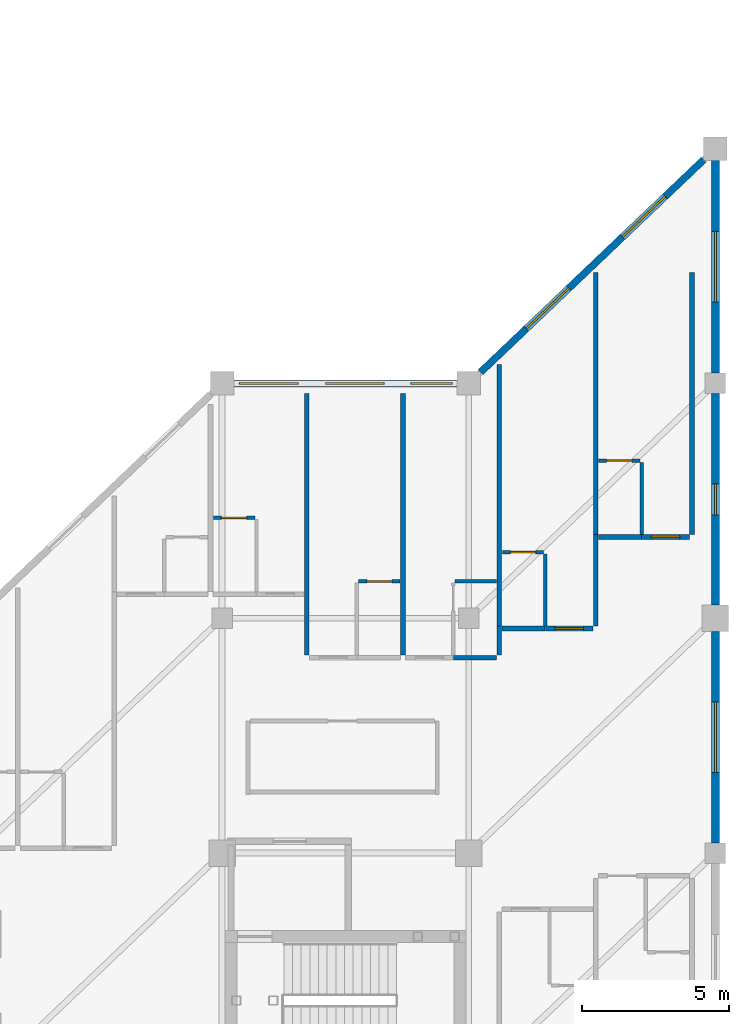
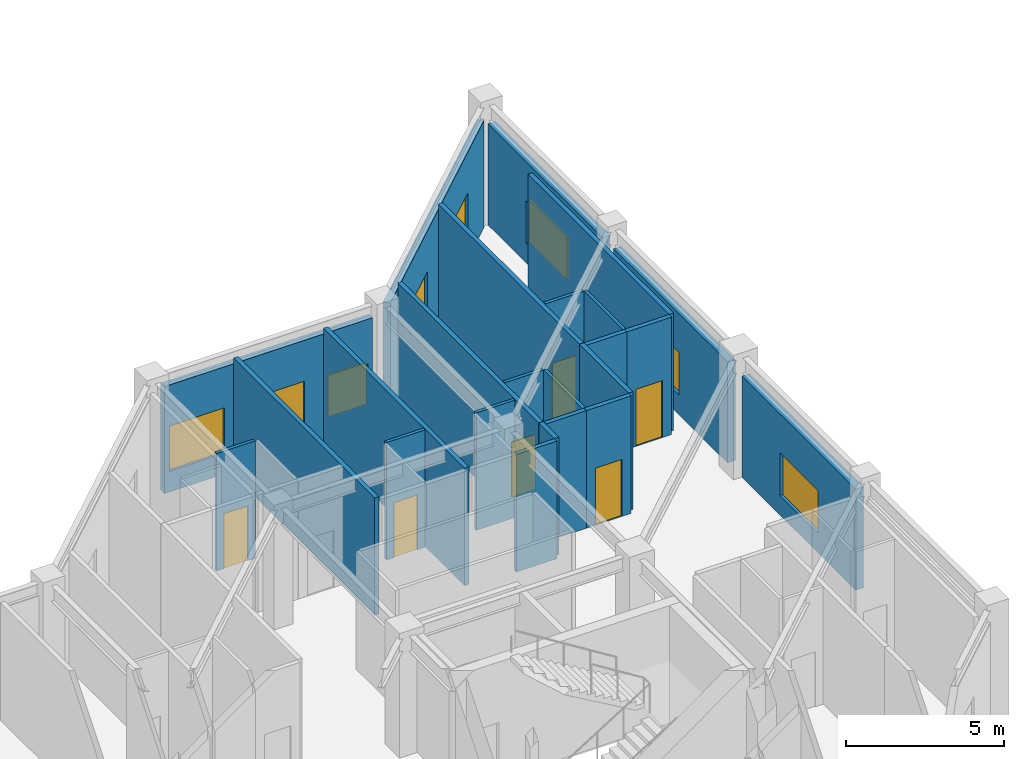
# One storey, part 32 of 37: 24 walls, 8 windows, 6 doors, 14 openings.
"""IFC4 building model written with IfcOpenShell, lengths in metres."""

from ifc_helpers import new_model, si_unit, direction, frame, frame_2d, origin, place, context, subcontext, project, spatial, rectangle, extrude, material, layer, layer_set, type_object, element, fill, save


model = new_model("IFC4")

# Units and contexts
model_context = context("Model", 3, precision=1e-05, world=origin(), true_north=direction((0.0, 1.0)))
body_context = subcontext(model_context, "Body", "Model", "MODEL_VIEW")
ifc_project = project(units=[si_unit("LENGTHUNIT", "METRE"), si_unit("AREAUNIT", "SQUARE_METRE"), si_unit("VOLUMEUNIT", "CUBIC_METRE"), si_unit("PLANEANGLEUNIT", "RADIAN"), si_unit("MASSUNIT", "GRAM", prefix="KILO")], contexts=[model_context])

# Site, building, storey
site_placement = place(None, origin())
site = spatial("IfcSite", under=ifc_project, at=site_placement, CompositionType="ELEMENT")
building_placement = place(site_placement, origin())
building = spatial("IfcBuilding", under=site, at=building_placement, Name="Naruveol Harbour Congress Hotel", CompositionType="ELEMENT")
storey_placement = place(building_placement, frame((0.0, 0.0, 16.199951171875)))
storey = spatial("IfcBuildingStorey", under=building, at=storey_placement, Name="L03", CompositionType="ELEMENT", Elevation=16.199951171875)

# Wall, opening, window
ifc_material_1 = material(Name="Precast concrete C40/50", Category="concrete")
ifc_layer_1 = layer(ifc_material_1, 0.280029296875)
ifc_layer_set_1 = layer_set([ifc_layer_1], Name="Precast concrete C40/50")
wall_type_1 = type_object("IfcWallType", Name="ARCHITECTURAL PRECAST FACADE WALL 280", PredefinedType="SOLIDWALL", material=ifc_layer_set_1)
wall_1_placement = place(storey_placement, frame((184.800048828125, 55.60009765625, 0.0), z_axis=(0.0, 0.0, 1.0), x_axis=(0.0, -1.0, 0.0)))
wall_1 = element("IfcWall", 1, at=wall_1_placement, inside=storey, type_object=wall_type_1, Name="Hotel east gable wall L03 EW-280", PredefinedType="SOLIDWALL", context=body_context, shape_type="SweptSolid", body=[
    extrude(rectangle(XDim=7.25, YDim=0.280029296875, at=frame_2d((3.625, 0.0))), origin(), (0.0, 0.0, 1.0), 3.900146484375),
])
opening_1_placement = place(wall_1_placement, frame((2.425048828125, 0.0, 0.75)))
opening_1 = element("IfcOpeningElement", 2, at=opening_1_placement, cuts=wall_1, Name="Opening W-07", PredefinedType="OPENING", context=body_context, shape_type="SweptSolid", body=[
    extrude(rectangle(XDim=2.39990234375, YDim=1.64990234375, at=frame_2d((1.199951171875, 0.824951171875))), frame((0.0, 0.14990234375, 0.0), z_axis=(0.0, -1.0, 0.0), x_axis=(1.0, 0.0, 0.0)), (0.0, 0.0, 1.0), 0.300048828125),
])
ifc_material_2 = material(Name="Low-E Triple Glazing in Thermal Aluminium", Category="aluminium")
window_type_1 = type_object("IfcWindowType", Name="CORNER SUITE WINDOW 2400X1650", PartitioningType="DOUBLE_PANEL_VERTICAL", PredefinedType="WINDOW", material=ifc_material_2)
window_1_placement = place(opening_1_placement, origin())
window_1 = element("IfcWindow", 3, at=window_1_placement, inside=storey, type_object=window_type_1, Name="Window W-07 #265", OverallHeight=1.64990234375, OverallWidth=2.39990234375, PartitioningType="DOUBLE_PANEL_VERTICAL", PredefinedType="WINDOW", context=body_context, shape_type="SweptSolid", body=[
    extrude(rectangle(XDim=2.39990234375, YDim=1.64990234375, at=frame_2d((1.199951171875, 0.824951171875))), frame((0.0, 0.030029296875, 0.0), z_axis=(0.0, -1.0, 0.0), x_axis=(1.0, 0.0, 0.0)), (0.0, 0.0, 1.0), 0.06005859375),
])
fill(opening_1, window_1)

wall_2_placement = place(storey_placement, frame((184.800048828125, 47.64990234375, 0.0), z_axis=(0.0, 0.0, 1.0), x_axis=(0.0, -1.0, 0.0)))
wall_2 = element("IfcWall", 4, at=wall_2_placement, inside=storey, type_object=wall_type_1, Name="Hotel east gable wall L03 EW-280", PredefinedType="SOLIDWALL", context=body_context, shape_type="SweptSolid", body=[
    extrude(rectangle(XDim=7.199951171875, YDim=0.280029296875, at=frame_2d((3.60009765625, 0.0))), origin(), (0.0, 0.0, 1.0), 3.900146484375),
])
opening_2_placement = place(wall_2_placement, frame((3.074951171875, 0.0, 0.75)))
opening_2 = element("IfcOpeningElement", 5, at=opening_2_placement, cuts=wall_2, Name="Opening W-26", PredefinedType="OPENING", context=body_context, shape_type="SweptSolid", body=[
    extrude(rectangle(XDim=1.050048828125, YDim=1.64990234375, at=frame_2d((0.52490234375, 0.824951171875))), frame((0.0, 0.14990234375, 0.0), z_axis=(0.0, -1.0, 0.0), x_axis=(1.0, 0.0, 0.0)), (0.0, 0.0, 1.0), 0.300048828125),
])
ifc_material_3 = material(Name="Low-E Triple Glazing in Thermal Aluminium", Category="aluminium")
window_type_2 = type_object("IfcWindowType", Name="CORRIDOR END VIEW WINDOW 1050X1650", PartitioningType="SINGLE_PANEL", PredefinedType="WINDOW", material=ifc_material_3)
window_2_placement = place(opening_2_placement, origin())
window_2 = element("IfcWindow", 6, at=window_2_placement, inside=storey, type_object=window_type_2, Name="Window W-26 #266", OverallHeight=1.64990234375, OverallWidth=1.050048828125, PartitioningType="SINGLE_PANEL", PredefinedType="WINDOW", context=body_context, shape_type="SweptSolid", body=[
    extrude(rectangle(XDim=1.050048828125, YDim=1.64990234375, at=frame_2d((0.52490234375, 0.824951171875))), frame((0.0, 0.030029296875, 0.0), z_axis=(0.0, -1.0, 0.0), x_axis=(1.0, 0.0, 0.0)), (0.0, 0.0, 1.0), 0.06005859375),
])
fill(opening_2, window_2)

wall_3_placement = place(storey_placement, frame((184.800048828125, 39.550048828125, 0.0), z_axis=(0.0, 0.0, 1.0), x_axis=(0.0, -1.0, 0.0)))
wall_3 = element("IfcWall", 7, at=wall_3_placement, inside=storey, type_object=wall_type_1, Name="Hotel east gable wall L03 EW-280", PredefinedType="SOLIDWALL", context=body_context, shape_type="SweptSolid", body=[
    extrude(rectangle(XDim=7.199951171875, YDim=0.280029296875, at=frame_2d((3.60009765625, 0.0))), origin(), (0.0, 0.0, 1.0), 3.900146484375),
])
opening_3_placement = place(wall_3_placement, frame((2.39990234375, 0.0, 0.75)))
opening_3 = element("IfcOpeningElement", 8, at=opening_3_placement, cuts=wall_3, Name="Opening W-07", PredefinedType="OPENING", context=body_context, shape_type="SweptSolid", body=[
    extrude(rectangle(XDim=2.39990234375, YDim=1.64990234375, at=frame_2d((1.199951171875, 0.824951171875))), frame((0.0, 0.14990234375, 0.0), z_axis=(0.0, -1.0, 0.0), x_axis=(1.0, 0.0, 0.0)), (0.0, 0.0, 1.0), 0.300048828125),
])
window_3_placement = place(opening_3_placement, origin())
window_3 = element("IfcWindow", 9, at=window_3_placement, inside=storey, type_object=window_type_1, Name="Window W-07 #267", OverallHeight=1.64990234375, OverallWidth=2.39990234375, PartitioningType="DOUBLE_PANEL_VERTICAL", PredefinedType="WINDOW", context=body_context, shape_type="SweptSolid", body=[
    extrude(rectangle(XDim=2.39990234375, YDim=1.64990234375, at=frame_2d((1.199951171875, 0.824951171875))), frame((0.0, 0.030029296875, 0.0), z_axis=(0.0, -1.0, 0.0), x_axis=(1.0, 0.0, 0.0)), (0.0, 0.0, 1.0), 0.06005859375),
])
fill(opening_3, window_3)

# Wall, opening, door
ifc_material_4 = material(Name="Moisture-Resistant Gypsum Partition", Category="gypsum")
ifc_layer_2 = layer(ifc_material_4, 0.114990234375)
ifc_layer_set_2 = layer_set([ifc_layer_2], Name="Moisture-Resistant Gypsum Partition")
wall_type_2 = type_object("IfcWallType", Name="BATHROOM MOISTURE PARTITION WALL 115", PredefinedType="PARTITIONING", material=ifc_layer_set_2)
wall_4_placement = place(storey_placement, frame((167.699951171875, 43.419921875, 0.0), z_axis=(0.0, 0.0, 1.0), x_axis=(1.0, 0.0, 0.0)))
wall_4 = element("IfcWall", 10, at=wall_4_placement, inside=storey, type_object=wall_type_2, Name="Bathroom north wall 0472 PW-115", PredefinedType="PARTITIONING", context=body_context, shape_type="SweptSolid", body=[
    extrude(rectangle(XDim=1.41015625, YDim=0.114990234375, at=frame_2d((0.705078125, 0.0))), origin(), (0.0, 0.0, 1.0), 4.53515625),
])
opening_4_placement = place(wall_4_placement, frame((0.27490234375, 0.0, 0.0)))
opening_4 = element("IfcOpeningElement", 11, at=opening_4_placement, cuts=wall_4, Name="Opening BD-RM0472", PredefinedType="OPENING", context=body_context, shape_type="SweptSolid", body=[
    extrude(rectangle(XDim=0.860107421875, YDim=2.1201171875, at=frame_2d((0.43017578125, 1.06005859375))), frame((0.0, 0.0673828125, 0.0), z_axis=(0.0, -1.0, 0.0), x_axis=(1.0, 0.0, 0.0)), (0.0, 0.0, 1.0), 0.135009765625),
])
ifc_material_5 = material(Name="Timber & Steel Acoustic Leaf", Category="steel")
door_type_1 = type_object("IfcDoorType", Name="GUEST BATHROOM DOOR 860X2120", OperationType="NOTDEFINED", PredefinedType="DOOR", material=ifc_material_5)
door_1_placement = place(opening_4_placement, origin())
door_1 = element("IfcDoor", 12, at=door_1_placement, inside=storey, type_object=door_type_1, Name="Bathroom Door 0472", OperationType="SINGLE_SWING_RIGHT", OverallHeight=2.1201171875, OverallWidth=0.860107421875, PredefinedType="DOOR", context=body_context, shape_type="SweptSolid", body=[
    extrude(rectangle(XDim=0.860107421875, YDim=2.1201171875, at=frame_2d((0.43017578125, 1.06005859375))), frame((0.0, 0.02490234375, 0.0), z_axis=(0.0, -1.0, 0.0), x_axis=(1.0, 0.0, 0.0)), (0.0, 0.0, 1.0), 0.050048828125),
])
fill(opening_4, door_1)

wall_5_placement = place(storey_placement, frame((172.64990234375, 41.260009765625, 0.0), z_axis=(0.0, 0.0, 1.0), x_axis=(1.0, 0.0, 0.0)))
wall_5 = element("IfcWall", 13, at=wall_5_placement, inside=storey, type_object=wall_type_2, Name="Bathroom north wall 0473 PW-115", PredefinedType="PARTITIONING", context=body_context, shape_type="SweptSolid", body=[
    extrude(rectangle(XDim=1.41015625, YDim=0.114990234375, at=frame_2d((0.705078125, 0.0))), origin(), (0.0, 0.0, 1.0), 4.53515625),
])
opening_5_placement = place(wall_5_placement, frame((0.27490234375, 0.0, 0.0)))
opening_5 = element("IfcOpeningElement", 14, at=opening_5_placement, cuts=wall_5, Name="Opening BD-RM0473", PredefinedType="OPENING", context=body_context, shape_type="SweptSolid", body=[
    extrude(rectangle(XDim=0.860107421875, YDim=2.1201171875, at=frame_2d((0.43017578125, 1.06005859375))), frame((0.0, 0.0673828125, 0.0), z_axis=(0.0, -1.0, 0.0), x_axis=(1.0, 0.0, 0.0)), (0.0, 0.0, 1.0), 0.135009765625),
])
door_2_placement = place(opening_5_placement, origin())
door_2 = element("IfcDoor", 15, at=door_2_placement, inside=storey, type_object=door_type_1, Name="Bathroom Door 0473", OperationType="SINGLE_SWING_RIGHT", OverallHeight=2.1201171875, OverallWidth=0.860107421875, PredefinedType="DOOR", context=body_context, shape_type="SweptSolid", body=[
    extrude(rectangle(XDim=0.860107421875, YDim=2.1201171875, at=frame_2d((0.43017578125, 1.06005859375))), frame((0.0, 0.02490234375, 0.0), z_axis=(0.0, -1.0, 0.0), x_axis=(1.0, 0.0, 0.0)), (0.0, 0.0, 1.0), 0.050048828125),
])
fill(opening_5, door_2)

# Walls
wall_6_placement = place(storey_placement, frame((175.929931640625, 41.260009765625, 0.0), z_axis=(0.0, 0.0, 1.0), x_axis=(1.0, 0.0, 0.0)))
element("IfcWall", 16, at=wall_6_placement, inside=storey, type_object=wall_type_2, Name="Bathroom north wall 0474 PW-115", PredefinedType="PARTITIONING", context=body_context, shape_type="SweptSolid", body=[
    extrude(rectangle(XDim=1.41015625, YDim=0.114990234375, at=frame_2d((0.705078125, 0.0))), origin(), (0.0, 0.0, 1.0), 4.53515625),
])
wall_7_placement = place(storey_placement, frame((179.010009765625, 39.739990234375, 0.0), z_axis=(0.0, 0.0, 1.0), x_axis=(0.0, 1.0, 0.0)))
element("IfcWall", 17, at=wall_7_placement, inside=storey, type_object=wall_type_2, Name="Bathroom east wall 0475 PW-115", PredefinedType="PARTITIONING", context=body_context, shape_type="SweptSolid", body=[
    extrude(rectangle(XDim=2.449951171875, YDim=0.114990234375, at=frame_2d((1.22509765625, 0.0))), origin(), (0.0, 0.0, 1.0), 4.53515625),
])

# Wall, opening, door
wall_8_placement = place(storey_placement, frame((177.5400390625, 42.25, 0.0), z_axis=(0.0, 0.0, 1.0), x_axis=(1.0, 0.0, 0.0)))
wall_8 = element("IfcWall", 18, at=wall_8_placement, inside=storey, type_object=wall_type_2, Name="Bathroom north wall 0475 PW-115", PredefinedType="PARTITIONING", context=body_context, shape_type="SweptSolid", body=[
    extrude(rectangle(XDim=1.409912109375, YDim=0.114990234375, at=frame_2d((0.705078125, 0.0))), origin(), (0.0, 0.0, 1.0), 4.53515625),
])
opening_6_placement = place(wall_8_placement, frame((0.27490234375, 0.0, 0.0)))
opening_6 = element("IfcOpeningElement", 19, at=opening_6_placement, cuts=wall_8, Name="Opening BD-RM0475", PredefinedType="OPENING", context=body_context, shape_type="SweptSolid", body=[
    extrude(rectangle(XDim=0.860107421875, YDim=2.1201171875, at=frame_2d((0.43017578125, 1.06005859375))), frame((0.0, 0.0673828125, 0.0), z_axis=(0.0, -1.0, 0.0), x_axis=(1.0, 0.0, 0.0)), (0.0, 0.0, 1.0), 0.135009765625),
])
door_3_placement = place(opening_6_placement, origin())
door_3 = element("IfcDoor", 20, at=door_3_placement, inside=storey, type_object=door_type_1, Name="Bathroom Door 0475", OperationType="SINGLE_SWING_RIGHT", OverallHeight=2.1201171875, OverallWidth=0.860107421875, PredefinedType="DOOR", context=body_context, shape_type="SweptSolid", body=[
    extrude(rectangle(XDim=0.860107421875, YDim=2.1201171875, at=frame_2d((0.43017578125, 1.06005859375))), frame((0.0, 0.02490234375, 0.0), z_axis=(0.0, -1.0, 0.0), x_axis=(1.0, 0.0, 0.0)), (0.0, 0.0, 1.0), 0.050048828125),
])
fill(opening_6, door_3)

# Wall
wall_9_placement = place(storey_placement, frame((182.2900390625, 42.860107421875, 0.0), z_axis=(0.0, 0.0, 1.0), x_axis=(0.0, 1.0, 0.0)))
element("IfcWall", 21, at=wall_9_placement, inside=storey, type_object=wall_type_2, Name="Bathroom east wall 0476 PW-115", PredefinedType="PARTITIONING", context=body_context, shape_type="SweptSolid", body=[
    extrude(rectangle(XDim=2.449951171875, YDim=0.114990234375, at=frame_2d((1.22509765625, 0.0))), origin(), (0.0, 0.0, 1.0), 4.53515625),
])

# Wall, opening, door
wall_10_placement = place(storey_placement, frame((180.820068359375, 45.3701171875, 0.0), z_axis=(0.0, 0.0, 1.0), x_axis=(1.0, 0.0, 0.0)))
wall_10 = element("IfcWall", 22, at=wall_10_placement, inside=storey, type_object=wall_type_2, Name="Bathroom north wall 0476 PW-115", PredefinedType="PARTITIONING", context=body_context, shape_type="SweptSolid", body=[
    extrude(rectangle(XDim=1.409912109375, YDim=0.114990234375, at=frame_2d((0.705078125, 0.0))), origin(), (0.0, 0.0, 1.0), 4.53515625),
])
opening_7_placement = place(wall_10_placement, frame((0.27490234375, 0.0, 0.0)))
opening_7 = element("IfcOpeningElement", 23, at=opening_7_placement, cuts=wall_10, Name="Opening BD-RM0476", PredefinedType="OPENING", context=body_context, shape_type="SweptSolid", body=[
    extrude(rectangle(XDim=0.860107421875, YDim=2.1201171875, at=frame_2d((0.43017578125, 1.06005859375))), frame((0.0, 0.0673828125, 0.0), z_axis=(0.0, -1.0, 0.0), x_axis=(1.0, 0.0, 0.0)), (0.0, 0.0, 1.0), 0.135009765625),
])
door_4_placement = place(opening_7_placement, origin())
door_4 = element("IfcDoor", 24, at=door_4_placement, inside=storey, type_object=door_type_1, Name="Bathroom Door 0476", OperationType="SINGLE_SWING_RIGHT", OverallHeight=2.1201171875, OverallWidth=0.860107421875, PredefinedType="DOOR", context=body_context, shape_type="SweptSolid", body=[
    extrude(rectangle(XDim=0.860107421875, YDim=2.1201171875, at=frame_2d((0.43017578125, 1.06005859375))), frame((0.0, 0.02490234375, 0.0), z_axis=(0.0, -1.0, 0.0), x_axis=(1.0, 0.0, 0.0)), (0.0, 0.0, 1.0), 0.050048828125),
])
fill(opening_7, door_4)

# Walls
ifc_material_6 = material(Name="Autoclaved Aerated Concrete Block", Category="concrete")
ifc_layer_3 = layer(ifc_material_6, 0.159912109375)
ifc_layer_set_3 = layer_set([ifc_layer_3], Name="Autoclaved Aerated Concrete Block")
wall_type_3 = type_object("IfcWallType", Name="HOTEL PARTY AND CORRIDOR WALL 160 EI60", PredefinedType="PARTITIONING", material=ifc_layer_set_3)
wall_11_placement = place(storey_placement, frame((170.8798828125, 38.75, 0.0), z_axis=(0.0, 0.0, 1.0), x_axis=(0.0, 1.0, 0.0)))
element("IfcWall", 25, at=wall_11_placement, inside=storey, type_object=wall_type_3, Name="Hotel party wall 0473 PW-160", PredefinedType="PARTITIONING", context=body_context, shape_type="SweptSolid", body=[
    extrude(rectangle(XDim=8.909912109375, YDim=0.159912109375, at=frame_2d((4.455078125, 0.0))), origin(), (0.0, 0.0, 1.0), 4.53515625),
])
wall_12_placement = place(storey_placement, frame((175.8798828125, 38.659912109375, 0.0), z_axis=(0.0, 0.0, 1.0), x_axis=(1.0, 0.0, 0.0)))
element("IfcWall", 26, at=wall_12_placement, inside=storey, type_object=wall_type_3, Name="Corridor wall 0474B PW-160", PredefinedType="PARTITIONING", context=body_context, shape_type="SweptSolid", body=[
    extrude(rectangle(XDim=1.47021484375, YDim=0.159912109375, at=frame_2d((0.735107421875, 0.0))), origin(), (0.0, 0.0, 1.0), 4.53515625),
])
wall_13_placement = place(storey_placement, frame((174.159912109375, 38.75, 0.0), z_axis=(0.0, 0.0, 1.0), x_axis=(0.0, 1.0, 0.0)))
element("IfcWall", 27, at=wall_13_placement, inside=storey, type_object=wall_type_3, Name="Hotel party wall 0474 PW-160", PredefinedType="PARTITIONING", context=body_context, shape_type="SweptSolid", body=[
    extrude(rectangle(XDim=8.909912109375, YDim=0.159912109375, at=frame_2d((4.455078125, 0.0))), origin(), (0.0, 0.0, 1.0), 4.53515625),
])
wall_14_placement = place(storey_placement, frame((177.43994140625, 38.75, 0.0), z_axis=(0.0, 0.0, 1.0), x_axis=(0.0, 1.0, 0.0)))
element("IfcWall", 28, at=wall_14_placement, inside=storey, type_object=wall_type_3, Name="Hotel end party wall 0474 PW-160", PredefinedType="PARTITIONING", context=body_context, shape_type="SweptSolid", body=[
    extrude(rectangle(XDim=0.97998046875, YDim=0.159912109375, at=frame_2d((0.489990234375, 0.0))), origin(), (0.0, 0.0, 1.0), 4.53515625),
])
wall_15_placement = place(storey_placement, frame((177.530029296875, 39.64990234375, 0.0), z_axis=(0.0, 0.0, 1.0), x_axis=(1.0, 0.0, 0.0)))
element("IfcWall", 29, at=wall_15_placement, inside=storey, type_object=wall_type_3, Name="Corridor wall 0475B PW-160", PredefinedType="PARTITIONING", context=body_context, shape_type="SweptSolid", body=[
    extrude(rectangle(XDim=1.469970703125, YDim=0.159912109375, at=frame_2d((0.73486328125, 0.0))), origin(), (0.0, 0.0, 1.0), 4.53515625),
])

# Wall, opening, door
wall_16_placement = place(storey_placement, frame((179.010009765625, 39.64990234375, 0.0), z_axis=(0.0, 0.0, 1.0), x_axis=(1.0, 0.0, 0.0)))
wall_16 = element("IfcWall", 30, at=wall_16_placement, inside=storey, type_object=wall_type_3, Name="Corridor entry wall 0475 PW-160", PredefinedType="PARTITIONING", context=body_context, shape_type="SweptSolid", body=[
    extrude(rectangle(XDim=1.619873046875, YDim=0.159912109375, at=frame_2d((0.81005859375, 0.0))), origin(), (0.0, 0.0, 1.0), 4.53515625),
])
opening_8_placement = place(wall_16_placement, frame((0.330078125, 0.0, 0.0)))
opening_8 = element("IfcOpeningElement", 31, at=opening_8_placement, cuts=wall_16, Name="Opening FD-RM0475", PredefinedType="OPENING", context=body_context, shape_type="SweptSolid", body=[
    extrude(rectangle(XDim=0.9599609375, YDim=2.199951171875, at=frame_2d((0.47998046875, 1.10009765625))), frame((0.0, 0.08984375, 0.0), z_axis=(0.0, -1.0, 0.0), x_axis=(1.0, 0.0, 0.0)), (0.0, 0.0, 1.0), 0.179931640625),
])
ifc_material_7 = material(Name="Timber & Steel Acoustic Leaf", Category="steel")
door_type_2 = type_object("IfcDoorType", Name="GUEST ROOM ENTRANCE FIRE DOOR 960X2200", OperationType="NOTDEFINED", PredefinedType="DOOR", material=ifc_material_7)
door_5_placement = place(opening_8_placement, origin())
door_5 = element("IfcDoor", 32, at=door_5_placement, inside=storey, type_object=door_type_2, Name="Hotel Room Door 0475", OperationType="SINGLE_SWING_LEFT", OverallHeight=2.199951171875, OverallWidth=0.9599609375, PredefinedType="DOOR", context=body_context, shape_type="SweptSolid", body=[
    extrude(rectangle(XDim=0.9599609375, YDim=2.199951171875, at=frame_2d((0.47998046875, 1.10009765625))), frame((0.0, 0.02490234375, 0.0), z_axis=(0.0, -1.0, 0.0), x_axis=(1.0, 0.0, 0.0)), (0.0, 0.0, 1.0), 0.050048828125),
])
fill(opening_8, door_5)

# Walls
wall_17_placement = place(storey_placement, frame((177.43994140625, 39.739990234375, 0.0), z_axis=(0.0, 0.0, 1.0), x_axis=(0.0, 1.0, 0.0)))
element("IfcWall", 33, at=wall_17_placement, inside=storey, type_object=wall_type_3, Name="Hotel party wall 0475 PW-160", PredefinedType="PARTITIONING", context=body_context, shape_type="SweptSolid", body=[
    extrude(rectangle(XDim=8.909912109375, YDim=0.159912109375, at=frame_2d((4.455078125, 0.0))), origin(), (0.0, 0.0, 1.0), 4.53515625),
])
wall_18_placement = place(storey_placement, frame((180.719970703125, 39.739990234375, 0.0), z_axis=(0.0, 0.0, 1.0), x_axis=(0.0, 1.0, 0.0)))
element("IfcWall", 34, at=wall_18_placement, inside=storey, type_object=wall_type_3, Name="Hotel end party wall 0475 PW-160", PredefinedType="PARTITIONING", context=body_context, shape_type="SweptSolid", body=[
    extrude(rectangle(XDim=3.110107421875, YDim=0.159912109375, at=frame_2d((1.55517578125, 0.0))), origin(), (0.0, 0.0, 1.0), 4.53515625),
])
wall_19_placement = place(storey_placement, frame((180.81005859375, 42.77001953125, 0.0), z_axis=(0.0, 0.0, 1.0), x_axis=(1.0, 0.0, 0.0)))
element("IfcWall", 35, at=wall_19_placement, inside=storey, type_object=wall_type_3, Name="Corridor wall 0476B PW-160", PredefinedType="PARTITIONING", context=body_context, shape_type="SweptSolid", body=[
    extrude(rectangle(XDim=1.469970703125, YDim=0.159912109375, at=frame_2d((0.73486328125, 0.0))), origin(), (0.0, 0.0, 1.0), 4.53515625),
])

# Wall, opening, door
wall_20_placement = place(storey_placement, frame((182.2900390625, 42.77001953125, 0.0), z_axis=(0.0, 0.0, 1.0), x_axis=(1.0, 0.0, 0.0)))
wall_20 = element("IfcWall", 36, at=wall_20_placement, inside=storey, type_object=wall_type_3, Name="Corridor entry wall 0476 PW-160", PredefinedType="PARTITIONING", context=body_context, shape_type="SweptSolid", body=[
    extrude(rectangle(XDim=1.619873046875, YDim=0.159912109375, at=frame_2d((0.81005859375, 0.0))), origin(), (0.0, 0.0, 1.0), 4.53515625),
])
opening_9_placement = place(wall_20_placement, frame((0.330078125, 0.0, 0.0)))
opening_9 = element("IfcOpeningElement", 37, at=opening_9_placement, cuts=wall_20, Name="Opening FD-RM0476", PredefinedType="OPENING", context=body_context, shape_type="SweptSolid", body=[
    extrude(rectangle(XDim=0.9599609375, YDim=2.199951171875, at=frame_2d((0.47998046875, 1.10009765625))), frame((0.0, 0.08984375, 0.0), z_axis=(0.0, -1.0, 0.0), x_axis=(1.0, 0.0, 0.0)), (0.0, 0.0, 1.0), 0.179931640625),
])
door_6_placement = place(opening_9_placement, origin())
door_6 = element("IfcDoor", 38, at=door_6_placement, inside=storey, type_object=door_type_2, Name="Hotel Room Door 0476", OperationType="SINGLE_SWING_LEFT", OverallHeight=2.199951171875, OverallWidth=0.9599609375, PredefinedType="DOOR", context=body_context, shape_type="SweptSolid", body=[
    extrude(rectangle(XDim=0.9599609375, YDim=2.199951171875, at=frame_2d((0.47998046875, 1.10009765625))), frame((0.0, 0.02490234375, 0.0), z_axis=(0.0, -1.0, 0.0), x_axis=(1.0, 0.0, 0.0)), (0.0, 0.0, 1.0), 0.050048828125),
])
fill(opening_9, door_6)

# Walls
for number, where, z_axis, x_axis, name in (
    (39, (180.719970703125, 42.860107421875, 0.0), (0.0, 0.0, 1.0), (0.0, 1.0, 0.0), "Hotel party wall 0476 PW-160"),
    (40, (184.0, 42.860107421875, 0.0), (0.0, 0.0, 1.0), (0.0, 1.0, 0.0), "Hotel end party wall 0476 PW-160"),
):
    element("IfcWall", number, at=place(storey_placement, frame(where, z_axis=z_axis, x_axis=x_axis)), inside=storey, type_object=wall_type_3, Name=name, PredefinedType="PARTITIONING", context=body_context, shape_type="SweptSolid", body=[
        extrude(rectangle(XDim=8.909912109375, YDim=0.159912109375, at=frame_2d((4.455078125, 0.0))), origin(), (0.0, 0.0, 1.0), 4.53515625),
    ])

# Wall, openings, windows
ifc_material_8 = material(Name="Concrete C40/50", Category="concrete")
ifc_layer_4 = layer(ifc_material_8, 0.239990234375)
ifc_layer_set_4 = layer_set([ifc_layer_4], Name="Concrete C40/50")
wall_type_4 = type_object("IfcWallType", Name="INSULATED HOTEL SPANDREL WALL 240", PredefinedType="SOLIDWALL", material=ifc_layer_set_4)
wall_21_placement = place(storey_placement, frame((168.39990234375, 48.0, 0.0), z_axis=(0.0, 0.0, 1.0), x_axis=(1.0, 0.0, 0.0)))
wall_21 = element("IfcWall", 41, at=wall_21_placement, inside=storey, type_object=wall_type_4, Name="Hotel north bay wall L03 EW-240", PredefinedType="SOLIDWALL", context=body_context, shape_type="SweptSolid", body=[
    extrude(rectangle(XDim=7.60009765625, YDim=0.239990234375, at=frame_2d((3.800048828125, 0.0))), origin(), (0.0, 0.0, 1.0), 4.130126953125),
])
opening_10_placement = place(wall_21_placement, frame((0.18994140625, 0.0, 0.800048828125)))
opening_10 = element("IfcOpeningElement", 42, at=opening_10_placement, cuts=wall_21, Name="Opening W-05", PredefinedType="OPENING", context=body_context, shape_type="SweptSolid", body=[
    extrude(rectangle(XDim=2.0, YDim=1.75, at=frame_2d((1.0, 0.875))), frame((0.0, 0.1298828125, 0.0), z_axis=(0.0, -1.0, 0.0), x_axis=(1.0, 0.0, 0.0)), (0.0, 0.0, 1.0), 0.260009765625),
])
opening_11_placement = place(wall_21_placement, frame((3.1201171875, 0.0, 0.800048828125)))
opening_11 = element("IfcOpeningElement", 43, at=opening_11_placement, cuts=wall_21, Name="Opening W-05", PredefinedType="OPENING", context=body_context, shape_type="SweptSolid", body=[
    extrude(rectangle(XDim=2.0, YDim=1.75, at=frame_2d((1.0, 0.875))), frame((0.0, 0.1298828125, 0.0), z_axis=(0.0, -1.0, 0.0), x_axis=(1.0, 0.0, 0.0)), (0.0, 0.0, 1.0), 0.260009765625),
])
opening_12_placement = place(wall_21_placement, frame((6.030029296875, 0.0, 0.800048828125)))
opening_12 = element("IfcOpeningElement", 44, at=opening_12_placement, cuts=wall_21, Name="Opening W-02", PredefinedType="OPENING", context=body_context, shape_type="SweptSolid", body=[
    extrude(rectangle(XDim=1.39990234375, YDim=1.60009765625, at=frame_2d((0.699951171875, 0.800048828125))), frame((0.0, 0.1298828125, 0.0), z_axis=(0.0, -1.0, 0.0), x_axis=(1.0, 0.0, 0.0)), (0.0, 0.0, 1.0), 0.260009765625),
])
ifc_material_9 = material(Name="Low-E Triple Glazing in Thermal Aluminium", Category="aluminium")
window_type_3 = type_object("IfcWindowType", Name="GARDEN SUITE WINDOW 2000X1750", PartitioningType="DOUBLE_PANEL_VERTICAL", PredefinedType="WINDOW", material=ifc_material_9)
window_4_placement = place(opening_10_placement, origin())
window_4 = element("IfcWindow", 45, at=window_4_placement, inside=storey, type_object=window_type_3, Name="Window W-05 #258", OverallHeight=1.75, OverallWidth=2.0, PartitioningType="DOUBLE_PANEL_VERTICAL", PredefinedType="WINDOW", context=body_context, shape_type="SweptSolid", body=[
    extrude(rectangle(XDim=2.0, YDim=1.75, at=frame_2d((1.0, 0.875))), frame((0.0, 0.030029296875, 0.0), z_axis=(0.0, -1.0, 0.0), x_axis=(1.0, 0.0, 0.0)), (0.0, 0.0, 1.0), 0.06005859375),
])
fill(opening_10, window_4)
window_5_placement = place(opening_11_placement, origin())
window_5 = element("IfcWindow", 46, at=window_5_placement, inside=storey, type_object=window_type_3, Name="Window W-05 #259", OverallHeight=1.75, OverallWidth=2.0, PartitioningType="DOUBLE_PANEL_VERTICAL", PredefinedType="WINDOW", context=body_context, shape_type="SweptSolid", body=[
    extrude(rectangle(XDim=2.0, YDim=1.75, at=frame_2d((1.0, 0.875))), frame((0.0, 0.030029296875, 0.0), z_axis=(0.0, -1.0, 0.0), x_axis=(1.0, 0.0, 0.0)), (0.0, 0.0, 1.0), 0.06005859375),
])
fill(opening_11, window_5)
ifc_material_10 = material(Name="Low-E Triple Glazing in Thermal Aluminium", Category="aluminium")
window_type_4 = type_object("IfcWindowType", Name="GUEST ROOM HARBOUR WINDOW 1400X1600", PartitioningType="SINGLE_PANEL", PredefinedType="WINDOW", material=ifc_material_10)
window_6_placement = place(opening_12_placement, origin())
window_6 = element("IfcWindow", 47, at=window_6_placement, inside=storey, type_object=window_type_4, Name="Window W-02 #260", OverallHeight=1.60009765625, OverallWidth=1.39990234375, PartitioningType="SINGLE_PANEL", PredefinedType="WINDOW", context=body_context, shape_type="SweptSolid", body=[
    extrude(rectangle(XDim=1.39990234375, YDim=1.60009765625, at=frame_2d((0.699951171875, 0.800048828125))), frame((0.0, 0.030029296875, 0.0), z_axis=(0.0, -1.0, 0.0), x_axis=(1.0, 0.0, 0.0)), (0.0, 0.0, 1.0), 0.06005859375),
])
fill(opening_12, window_6)

wall_22_placement = place(storey_placement, frame((176.800048828125, 48.381103515625, 0.0), z_axis=(0.0, 0.0, 1.0), x_axis=(0.724145676014, 0.689647040094, 0.0)))
wall_22 = element("IfcWall", 48, at=wall_22_placement, inside=storey, type_object=wall_type_4, Name="Hotel north bay wall L03 EW-240", PredefinedType="SOLIDWALL", context=body_context, shape_type="SweptSolid", body=[
    extrude(rectangle(XDim=10.494873046875, YDim=0.239990234375, at=frame_2d((5.24755859375, 0.0))), origin(), (0.0, 0.0, 1.0), 4.130126953125),
])
opening_13_placement = place(wall_22_placement, frame((2.14892578125, 0.0, 0.800048828125)))
opening_13 = element("IfcOpeningElement", 49, at=opening_13_placement, cuts=wall_22, Name="Opening W-05", PredefinedType="OPENING", context=body_context, shape_type="SweptSolid", body=[
    extrude(rectangle(XDim=2.0, YDim=1.75, at=frame_2d((1.0, 0.875))), frame((0.0, 0.1298828125, 0.0), z_axis=(0.0, -1.0, 0.0), x_axis=(1.0, 0.0, 0.0)), (0.0, 0.0, 1.0), 0.260009765625),
])
opening_14_placement = place(wall_22_placement, frame((6.677978515625, 0.0, 0.800048828125)))
opening_14 = element("IfcOpeningElement", 50, at=opening_14_placement, cuts=wall_22, Name="Opening W-05", PredefinedType="OPENING", context=body_context, shape_type="SweptSolid", body=[
    extrude(rectangle(XDim=2.0, YDim=1.75, at=frame_2d((1.0, 0.875))), frame((0.0, 0.1298828125, 0.0), z_axis=(0.0, -1.0, 0.0), x_axis=(1.0, 0.0, 0.0)), (0.0, 0.0, 1.0), 0.260009765625),
])
window_7_placement = place(opening_13_placement, origin())
window_7 = element("IfcWindow", 51, at=window_7_placement, inside=storey, type_object=window_type_3, Name="Window W-05 #263", OverallHeight=1.75, OverallWidth=2.0, PartitioningType="DOUBLE_PANEL_VERTICAL", PredefinedType="WINDOW", context=body_context, shape_type="SweptSolid", body=[
    extrude(rectangle(XDim=2.0, YDim=1.75, at=frame_2d((1.0, 0.875))), frame((0.0, 0.030029296875, 0.0), z_axis=(0.0, -1.0, 0.0), x_axis=(1.0, 0.0, 0.0)), (0.0, 0.0, 1.0), 0.06005859375),
])
fill(opening_13, window_7)
window_8_placement = place(opening_14_placement, origin())
window_8 = element("IfcWindow", 52, at=window_8_placement, inside=storey, type_object=window_type_3, Name="Window W-05 #264", OverallHeight=1.75, OverallWidth=2.0, PartitioningType="DOUBLE_PANEL_VERTICAL", PredefinedType="WINDOW", context=body_context, shape_type="SweptSolid", body=[
    extrude(rectangle(XDim=2.0, YDim=1.75, at=frame_2d((1.0, 0.875))), frame((0.0, 0.030029296875, 0.0), z_axis=(0.0, -1.0, 0.0), x_axis=(1.0, 0.0, 0.0)), (0.0, 0.0, 1.0), 0.06005859375),
])
fill(opening_14, window_8)

save(model, "model.ifc")
